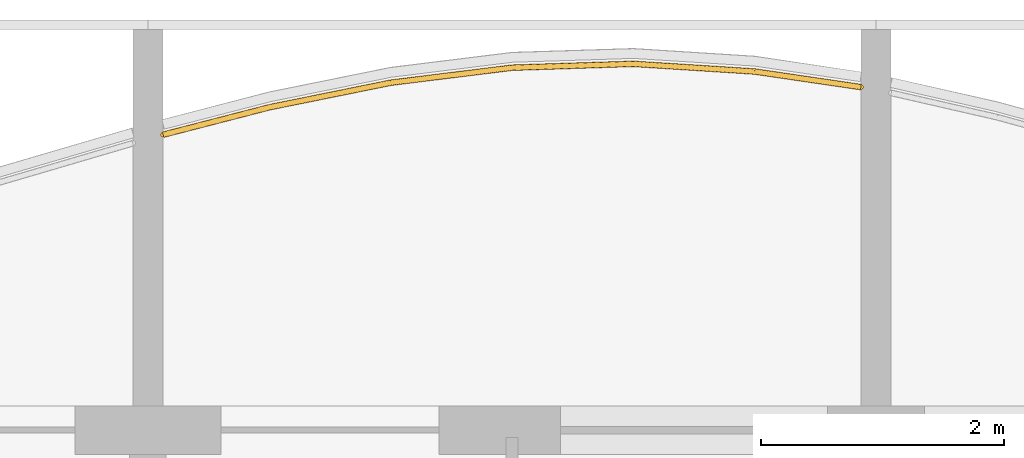
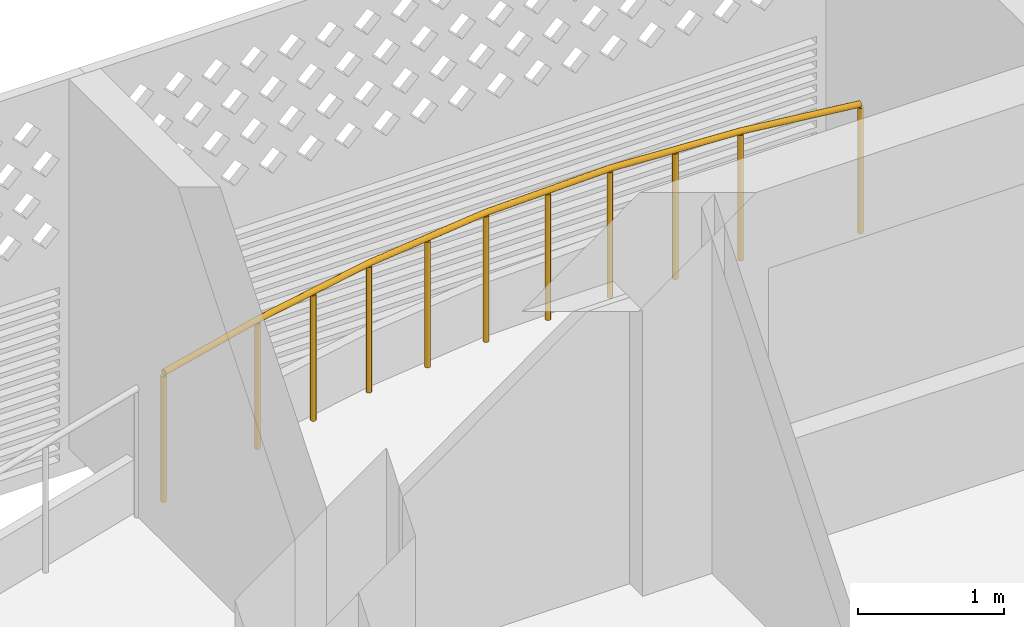
# One storey, part 28 of 31: 1 railing.
"""IFC4 building model written with IfcOpenShell, lengths in metres."""

from ifc_helpers import new_model, si_unit, direction, frame, origin, origin_2d, place, context, subcontext, project, spatial, circle, extrude, material, type_object, element, save


model = new_model("IFC4")

# Units and contexts
model_context = context("Model", 3, precision=1e-05, world=origin(), true_north=direction((0.0, 1.0)))
body_context = subcontext(model_context, "Body", "Model", "MODEL_VIEW")
ifc_project = project(units=[si_unit("LENGTHUNIT", "METRE"), si_unit("AREAUNIT", "SQUARE_METRE"), si_unit("VOLUMEUNIT", "CUBIC_METRE"), si_unit("PLANEANGLEUNIT", "RADIAN"), si_unit("MASSUNIT", "GRAM", prefix="KILO")], contexts=[model_context])

# Site, building, storey
site_placement = place(None, origin())
site = spatial("IfcSite", under=ifc_project, at=site_placement, CompositionType="ELEMENT")
building_placement = place(site_placement, origin())
building = spatial("IfcBuilding", under=site, at=building_placement, Name="Poui Terraces", CompositionType="ELEMENT")
storey_placement = place(building_placement, frame((0.0, 0.0, 145.5)))
storey = spatial("IfcBuildingStorey", under=building, at=storey_placement, Name="L40", CompositionType="ELEMENT", Elevation=145.5)

# Railing
ifc_material = material(Name="Painted steel fretwork", Category="steel")
railing_type = type_object("IfcRailingType", Name="BALCONY GUARD 1100", PredefinedType="GUARDRAIL", material=ifc_material)
railing_placement = place(storey_placement, frame((72.125, 44.834716796875, 0.0)))
element("IfcRailing", 1, at=railing_placement, inside=storey, type_object=railing_type, Name="BALCONY GUARD", PredefinedType="GUARDRAIL", context=body_context, shape_type="SweptSolid", body=[
    extrude(circle(Radius=0.02392578125, at=origin_2d()), frame((0.0, 0.0, 1.076171875), z_axis=(0.968270997587, 0.249902531464, 0.0), x_axis=(-0.249902531464, 0.968270997587, 0.0)), (0.0, 0.0, 1.0), 0.903564453125),
    extrude(circle(Radius=0.02392578125, at=origin_2d()), frame((0.875, 0.225830078125, 1.076171875), z_axis=(0.980080566497, 0.198600310106, 0.0), x_axis=(-0.198600310106, 0.980080566497, 0.0)), (0.0, 0.0, 1.0), 1.020263671875),
    extrude(circle(Radius=0.02392578125, at=origin_2d()), frame((1.875, 0.428466796875, 1.076171875), z_axis=(0.992426262271, 0.122841824944, 0.0), x_axis=(-0.122841824944, 0.992426262271, 0.0)), (0.0, 0.0, 1.0), 1.007568359375),
    extrude(circle(Radius=0.02392578125, at=origin_2d()), frame((2.875, 0.55224609375, 1.076171875), z_axis=(0.999496720941, 0.031722308038, 0.0), x_axis=(-0.031722308038, 0.999496720941, 0.0)), (0.0, 0.0, 1.0), 1.00048828125),
    extrude(circle(Radius=0.02392578125, at=origin_2d()), frame((3.875, 0.583984375, 1.076171875), z_axis=(0.998006805525, -0.063106387361, 0.0), x_axis=(0.063106387361, 0.998006805525, 0.0)), (0.0, 0.0, 1.0), 1.001953125),
    extrude(circle(Radius=0.02392578125, at=origin_2d()), frame((4.875, 0.520751953125, 1.076171875), z_axis=(0.989401169276, -0.1452078725, 0.0), x_axis=(0.1452078725, 0.989401169276, 0.0)), (0.0, 0.0, 1.0), 0.88427734375),
    extrude(circle(Radius=0.02099609375, at=origin_2d()), origin(), (0.0, 0.0, 1.0), 1.052001953125),
    extrude(circle(Radius=0.02099609375, at=origin_2d()), frame((0.875, 0.225830078125, 0.0)), (0.0, 0.0, 1.0), 1.052001953125),
    extrude(circle(Radius=0.02099609375, at=origin_2d()), frame((1.375, 0.3271484375, 0.0)), (0.0, 0.0, 1.0), 1.052001953125),
    extrude(circle(Radius=0.02099609375, at=origin_2d()), frame((1.875, 0.428466796875, 0.0)), (0.0, 0.0, 1.0), 1.052001953125),
    extrude(circle(Radius=0.02099609375, at=origin_2d()), frame((2.375, 0.490234375, 0.0)), (0.0, 0.0, 1.0), 1.052001953125),
    extrude(circle(Radius=0.02099609375, at=origin_2d()), frame((2.875, 0.55224609375, 0.0)), (0.0, 0.0, 1.0), 1.052001953125),
    extrude(circle(Radius=0.02099609375, at=origin_2d()), frame((3.375, 0.568115234375, 0.0)), (0.0, 0.0, 1.0), 1.052001953125),
    extrude(circle(Radius=0.02099609375, at=origin_2d()), frame((3.875, 0.583984375, 0.0)), (0.0, 0.0, 1.0), 1.052001953125),
    extrude(circle(Radius=0.02099609375, at=origin_2d()), frame((4.375, 0.55224609375, 0.0)), (0.0, 0.0, 1.0), 1.052001953125),
    extrude(circle(Radius=0.02099609375, at=origin_2d()), frame((4.875, 0.520751953125, 0.0)), (0.0, 0.0, 1.0), 1.052001953125),
    extrude(circle(Radius=0.02099609375, at=origin_2d()), frame((5.75, 0.392333984375, 0.0)), (0.0, 0.0, 1.0), 1.052001953125),
])

save(model, "model.ifc")
